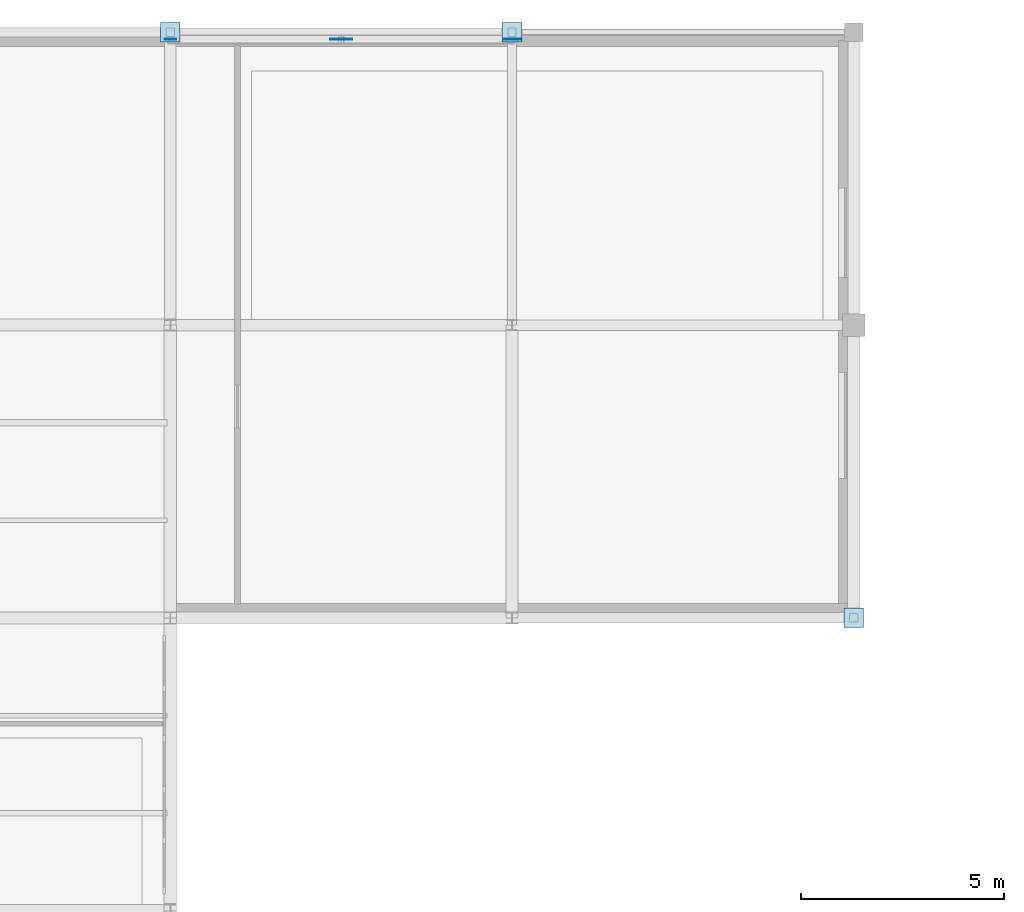
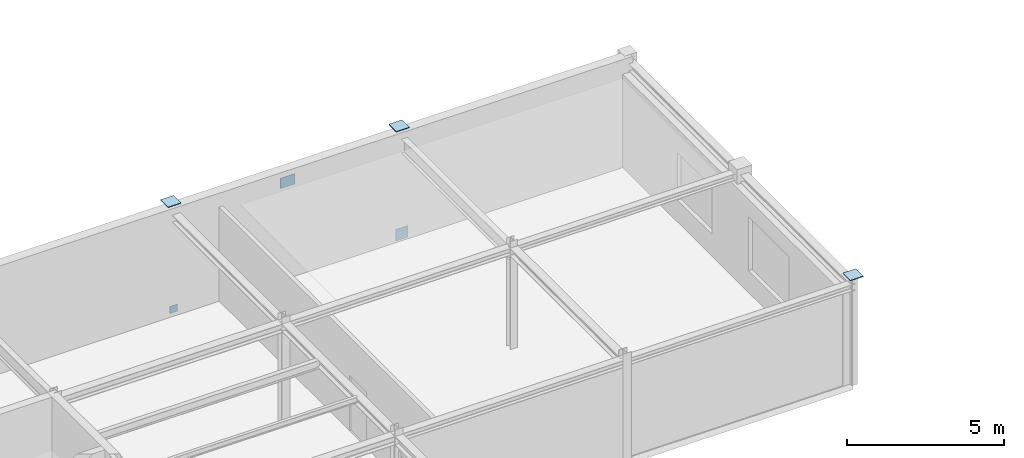
# One storey, part 68 of 90: 6 plates.
"""IFC4 building model written with IfcOpenShell, lengths in metres."""

from ifc_helpers import new_model, si_unit, derived_unit, direction, frame, origin, origin_2d, place, context, subcontext, project, spatial, rectangle, extrude, material, layer, layer_set, type_object, element, save


model = new_model("IFC4")

# Units and contexts
model_context = context("Model", 3, precision=1e-05, world=origin(), true_north=direction((0.0, 1.0)))
body_context = subcontext(model_context, "Body", "Model", "MODEL_VIEW")
ifc_project = project(units=[si_unit("LENGTHUNIT", "METRE"), si_unit("AREAUNIT", "SQUARE_METRE"), si_unit("VOLUMEUNIT", "CUBIC_METRE"), si_unit("PLANEANGLEUNIT", "RADIAN"), si_unit("MASSUNIT", "GRAM", prefix="KILO"), derived_unit("THERMALTRANSMITTANCEUNIT", [(si_unit("POWERUNIT", "WATT"), 1), (si_unit("AREAUNIT", "SQUARE_METRE"), -1), (si_unit("THERMODYNAMICTEMPERATUREUNIT", "KELVIN"), -1)])], contexts=[model_context])

# Site, building, storey
site_placement = place(None, origin())
site = spatial("IfcSite", under=ifc_project, at=site_placement, CompositionType="ELEMENT")
building_placement = place(site_placement, origin())
building = spatial("IfcBuilding", under=site, at=building_placement, Name="Yasenodar Specialist Clinic", CompositionType="ELEMENT")
storey_placement = place(building_placement, frame((0.0, 0.0, 9.0)))
storey = spatial("IfcBuildingStorey", under=building, at=storey_placement, Name="L02", CompositionType="ELEMENT", Elevation=9.0)

# Plates
ifc_material = material(Name="Steel S355", Category="steel")
ifc_layer_1 = layer(ifc_material, 0.02392578125)
ifc_layer_set_1 = layer_set([ifc_layer_1], Name="Steel S355")
plate_type_1 = type_object("IfcPlateType", Name="PL-STEEL-01", PredefinedType="SHEET", material=ifc_layer_set_1)
plate_1_placement = place(storey_placement, frame((25.199951171875, 111.425048828125, -0.070068359375), z_axis=(0.0, 0.0, 1.0), x_axis=(1.0, 0.0, 0.0)))
element("IfcPlate", 1, at=plate_1_placement, inside=storey, type_object=plate_type_1, Name="L02 Hollow Section End-Cap Plate 0008", PredefinedType="SHEET", context=body_context, shape_type="SweptSolid", body=[
    extrude(rectangle(XDim=0.43994140625, YDim=0.02392578125, at=origin_2d()), origin(), (0.0, 0.0, 1.0), 0.43994140625),
])
ifc_layer_2 = layer(ifc_material, 0.01806640625)
ifc_layer_set_2 = layer_set([ifc_layer_2], Name="Steel S355")
plate_type_2 = type_object("IfcPlateType", Name="PL-STEEL-04", PredefinedType="SHEET", material=ifc_layer_set_2)
plate_2_placement = place(storey_placement, frame((16.800048828125, 111.425048828125, 0.009765625), z_axis=(0.0, 0.0, 1.0), x_axis=(1.0, 0.0, 0.0)))
element("IfcPlate", 2, at=plate_2_placement, inside=storey, type_object=plate_type_2, Name="L02 Hollow Section End-Cap Plate 0007", PredefinedType="SHEET", context=body_context, shape_type="SweptSolid", body=[
    extrude(rectangle(XDim=0.280029296875, YDim=0.01806640625, at=origin_2d()), origin(), (0.0, 0.0, 1.0), 0.280029296875),
])
ifc_layer_3 = layer(ifc_material, 0.028076171875)
ifc_layer_set_3 = layer_set([ifc_layer_3], Name="Steel S355")
plate_type_3 = type_object("IfcPlateType", Name="PL-STEEL-06", PredefinedType="USERDEFINED", material=ifc_layer_set_3)
for number, where, z_axis, x_axis, name in (
    (3, (16.800048828125, 111.60009765625, 4.2001953125), (0.0, 0.0, 1.0), (1.0, 0.0, 0.0), "L02 Hollow Column Top Cap Plate 006"),
    (4, (25.199951171875, 111.60009765625, 4.2001953125), (0.0, 0.0, 1.0), (1.0, 0.0, 0.0), "L02 Hollow Column Top Cap Plate 008"),
    (5, (33.60009765625, 97.199951171875, 4.2001953125), (0.0, 0.0, 1.0), (1.0, 0.0, 0.0), "L02 Hollow Column Top Cap Plate 010"),
):
    element("IfcPlate", number, at=place(storey_placement, frame(where, z_axis=z_axis, x_axis=x_axis)), inside=storey, type_object=plate_type_3, Name=name, ObjectType="CAP_PLATE", PredefinedType="USERDEFINED", context=body_context, shape_type="SweptSolid", body=[
        extrude(rectangle(XDim=0.47998046875, YDim=0.47998046875, at=origin_2d()), origin(), (0.0, 0.0, 1.0), 0.028076171875),
    ])
ifc_layer_4 = layer(ifc_material, 0.02001953125)
ifc_layer_set_4 = layer_set([ifc_layer_4], Name="Steel S355")
plate_type_4 = type_object("IfcPlateType", Name="PL-STEEL-08", PredefinedType="USERDEFINED", material=ifc_layer_set_4)
plate_3_placement = place(storey_placement, frame((21.0, 111.425048828125, 3.449951171875), z_axis=(0.0, 0.0, 1.0), x_axis=(1.0, 0.0, 0.0)))
element("IfcPlate", 6, at=plate_3_placement, inside=storey, type_object=plate_type_4, Name="L02 Hollow Section End-Cap Plate 0009", ObjectType="GUSSET_PLATE", PredefinedType="USERDEFINED", context=body_context, shape_type="SweptSolid", body=[
    extrude(rectangle(XDim=0.5400390625, YDim=0.02001953125, at=origin_2d()), origin(), (0.0, 0.0, 1.0), 0.39990234375),
])

save(model, "model.ifc")
